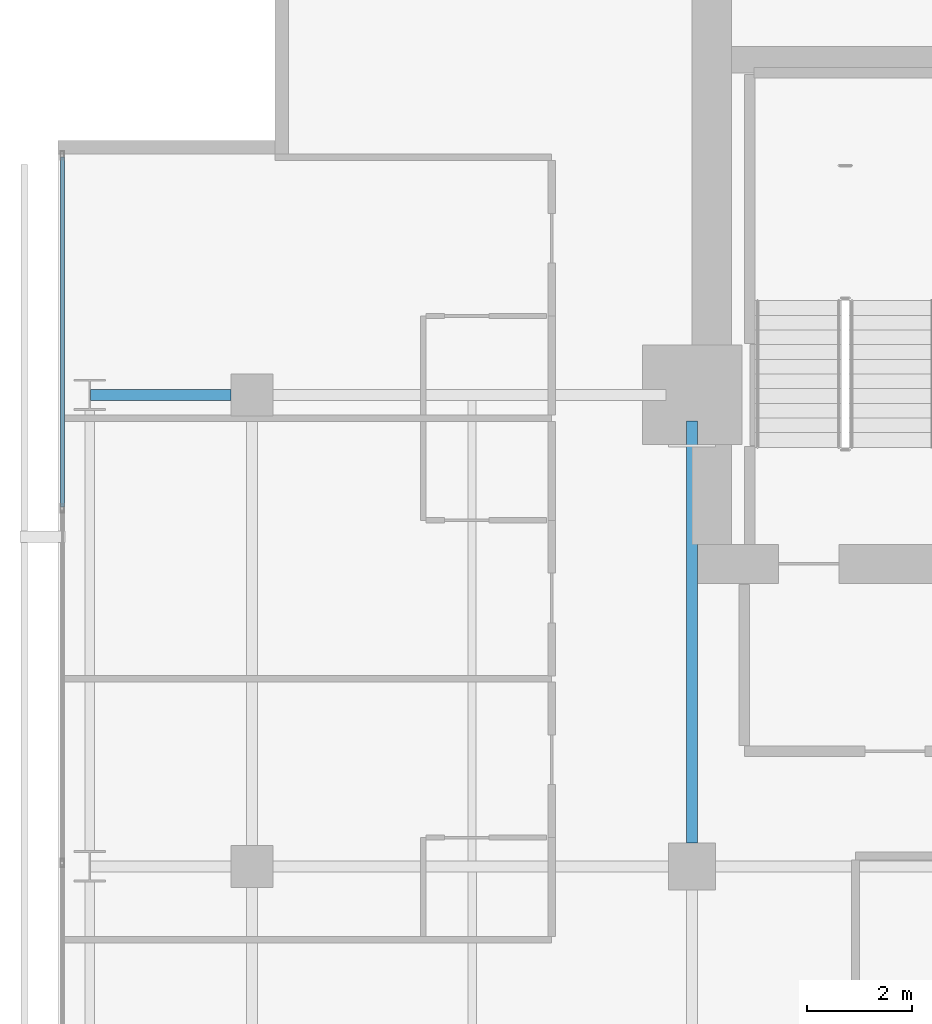
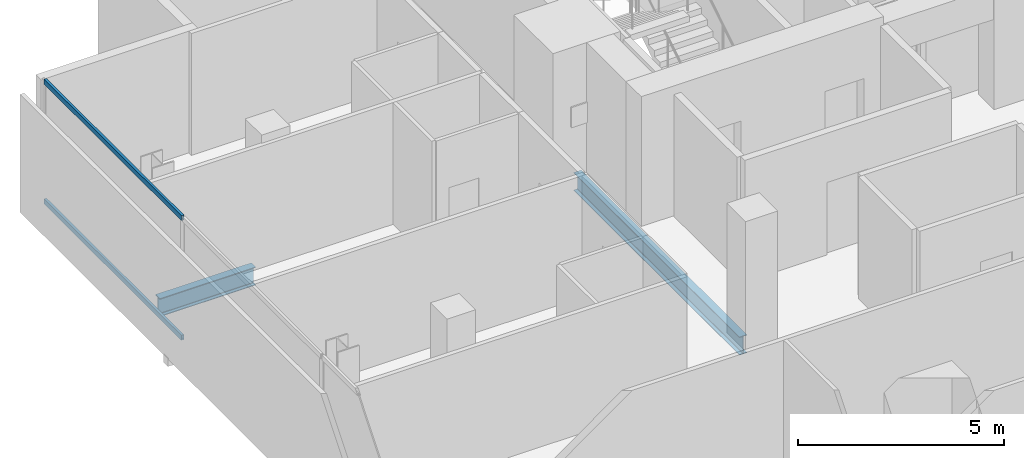
# One storey, part 19 of 34: 2 beams, 2 members, 1 element without a shape of its own.
"""IFC4 building model written with IfcOpenShell, lengths in metres."""

from ifc_helpers import new_model, si_unit, direction, frame, origin, origin_2d, place, context, subcontext, project, spatial, hollow_rectangle, i_section, extrude, material, layer, layer_set, material_profile, profile_set, type_object, element, aggregate, save


model = new_model("IFC4")

# Units and contexts
model_context = context("Model", 3, precision=1e-05, world=origin(), true_north=direction((0.0, 1.0)))
body_context = subcontext(model_context, "Body", "Model", "MODEL_VIEW")
ifc_project = project(units=[si_unit("LENGTHUNIT", "METRE"), si_unit("AREAUNIT", "SQUARE_METRE"), si_unit("VOLUMEUNIT", "CUBIC_METRE"), si_unit("PLANEANGLEUNIT", "RADIAN"), si_unit("MASSUNIT", "GRAM", prefix="KILO")], contexts=[model_context])

# Site, building, storey
site_placement = place(None, origin())
site = spatial("IfcSite", under=ifc_project, at=site_placement, CompositionType="ELEMENT")
building_placement = place(site_placement, origin())
building = spatial("IfcBuilding", under=site, at=building_placement, Name="Maruvema Waterfront Hotel and Observation Tower", CompositionType="ELEMENT")
storey_placement = place(building_placement, frame((0.0, 0.0, 212.10009765625)))
storey = spatial("IfcBuildingStorey", under=building, at=storey_placement, Name="L52", CompositionType="ELEMENT", Elevation=212.10009765625)

# Curtain wall, members
ifc_material_1 = material(Name="Anodised bronze aluminium and solar-control low-E IGU", Category="aluminium")
ifc_layer = layer(ifc_material_1, 0.159912109375, Name="Zone 2 Amber Inner Thermal Curtain Wall System CW-03")
ifc_layer_set = layer_set([ifc_layer], Name="Anodised bronze aluminium and solar-control low-E IGU")
curtain_wall_type = type_object("IfcCurtainWallType", Name="Zone 2 Amber Inner Thermal Curtain Wall System CW-03", PredefinedType="USERDEFINED", material=ifc_layer_set)
curtain_wall_placement = place(storey_placement, origin())
curtain_wall = element("IfcCurtainWall", 1, at=curtain_wall_placement, inside=storey, type_object=curtain_wall_type, Name="L52 Curtain Wall CW-L52-W", ObjectType="UNITISED CURTAIN WALL", PredefinedType="USERDEFINED")
ifc_material_2 = material(Name="Anodised architectural bronze aluminium", Category="aluminium")
ifc_material_profile_1 = material_profile(ifc_material_2, hollow_rectangle(XDim=0.070068359375, YDim=0.14990234375, WallThickness=0.00390625, at=origin_2d()), Name="ALU-T70x150")
ifc_profile_set_1 = profile_set([ifc_material_profile_1], Name="Anodised architectural bronze aluminium")
member_type = type_object("IfcMemberType", Name="Curtain Wall Horizontal Transom ALU-T70x150", PredefinedType="USERDEFINED", material=ifc_profile_set_1)
member_1_placement = place(storey_placement, frame((13.179931640625, 49.5400390625, 0.02978515625), z_axis=(0.0, -1.0, 0.0), x_axis=(1.0, 0.0, 0.0)))
member_1 = element("IfcMember", 2, at=member_1_placement, type_object=member_type, Name="CW-03 transom 1.1", ObjectType="TRANSOM", PredefinedType="USERDEFINED", context=body_context, shape_type="SweptSolid", body=[
    extrude(hollow_rectangle(XDim=0.070068359375, YDim=0.14990234375, WallThickness=0.00390625, at=origin_2d()), origin(), (0.0, 0.0, 1.0), 6.6767578125),
])
member_2_placement = place(storey_placement, frame((13.179931640625, 49.5400390625, 3.579833984375), z_axis=(0.0, -1.0, 0.0), x_axis=(1.0, 0.0, 0.0)))
member_2 = element("IfcMember", 3, at=member_2_placement, type_object=member_type, Name="CW-03 transom 1.2", ObjectType="TRANSOM", PredefinedType="USERDEFINED", context=body_context, shape_type="SweptSolid", body=[
    extrude(hollow_rectangle(XDim=0.070068359375, YDim=0.14990234375, WallThickness=0.00390625, at=origin_2d()), origin(), (0.0, 0.0, 1.0), 6.6767578125),
])
aggregate(curtain_wall, [member_1, member_2])

# Beams
ifc_material_3 = material(Name="Steel ASTM A572 Grade 50", Category="steel")
ifc_material_profile_2 = material_profile(ifc_material_3, i_section(OverallWidth=0.2109375, OverallDepth=0.5390625, WebThickness=0.01171875, FlangeThickness=0.018798828125, FilletRadius=0.014892578125, at=origin_2d()), Name="W530x109.0")
ifc_profile_set_2 = profile_set([ifc_material_profile_2], Name="Steel ASTM A572 Grade 50")
beam_type = type_object("IfcBeamType", Name="Primary Floor Girder W530x109.0", PredefinedType="BEAM", material=ifc_profile_set_2)
beam_1_placement = place(storey_placement, frame((13.71240234375, 45.0, -0.509521484375), z_axis=(1.0, 0.0, 0.0), x_axis=(0.0, 1.0, 0.0)))
element("IfcBeam", 4, at=beam_1_placement, inside=storey, type_object=beam_type, Name="L52 Floor Girder EW-30", PredefinedType="BEAM", context=body_context, shape_type="SweptSolid", body=[
    extrude(i_section(OverallWidth=0.2109375, OverallDepth=0.5390625, WebThickness=0.01171875, FlangeThickness=0.018798828125, FilletRadius=0.014892578125, at=origin_2d()), origin(), (0.0, 0.0, 1.0), 2.6875),
])
beam_2_placement = place(storey_placement, frame((25.199951171875, 36.449951171875, -0.509521484375), z_axis=(0.0, 1.0, 0.0), x_axis=(-1.0, 0.0, 0.0)))
element("IfcBeam", 5, at=beam_2_placement, inside=storey, type_object=beam_type, Name="L52 Floor Girder NS-13", PredefinedType="BEAM", context=body_context, shape_type="SweptSolid", body=[
    extrude(i_section(OverallWidth=0.2109375, OverallDepth=0.5390625, WebThickness=0.01171875, FlangeThickness=0.018798828125, FilletRadius=0.014892578125, at=origin_2d()), origin(), (0.0, 0.0, 1.0), 8.050048828125),
])

save(model, "model.ifc")
